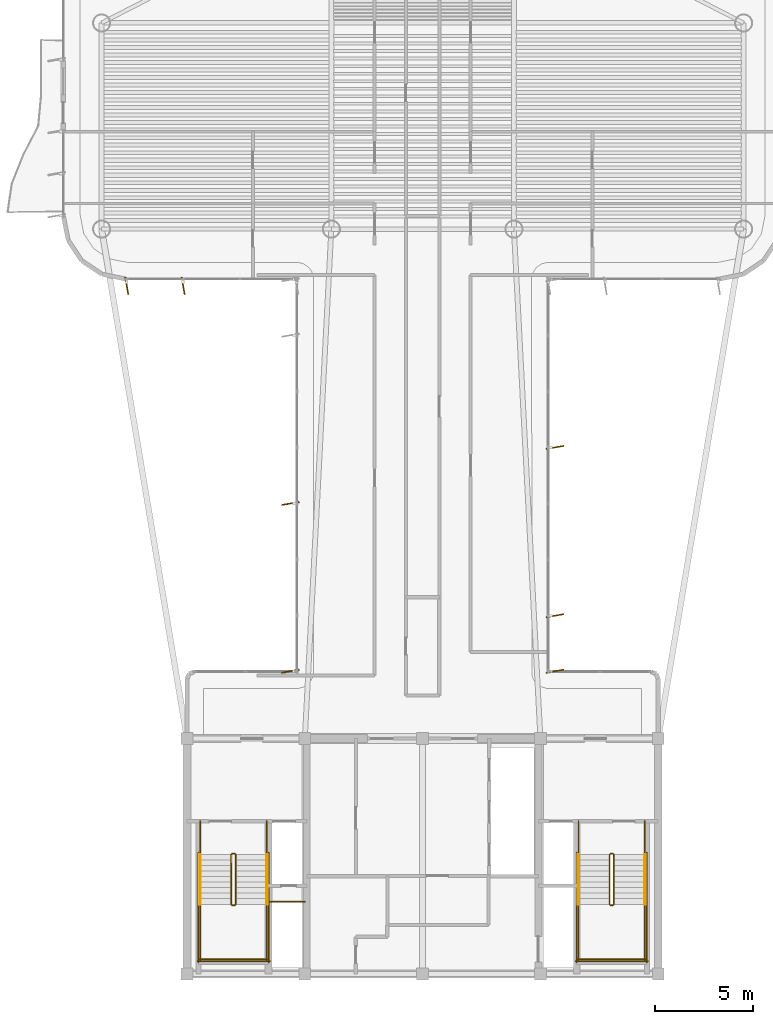
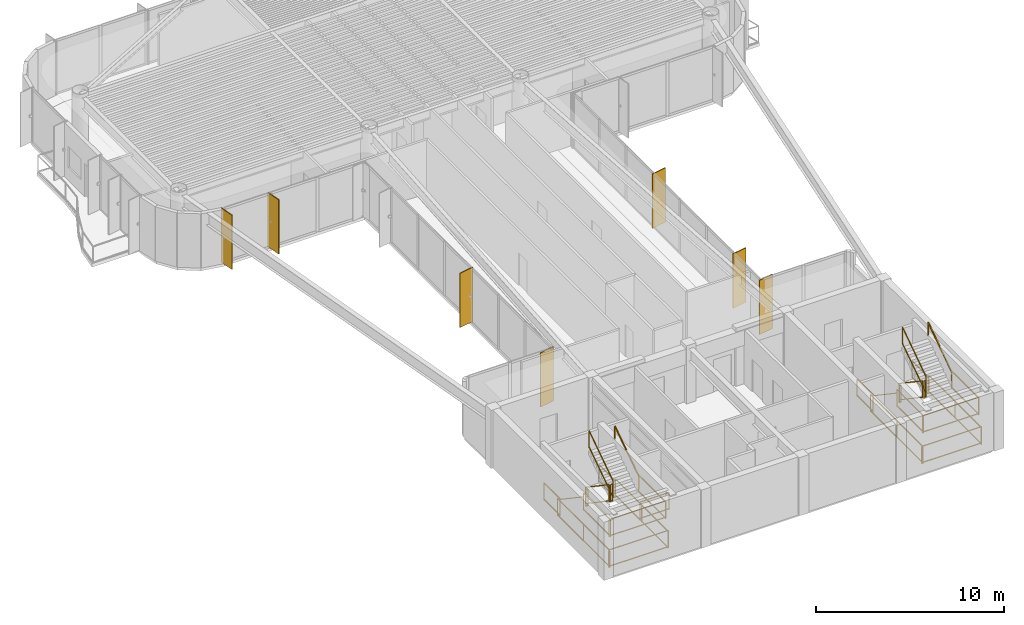
# One storey, part 14 of 15: 29 railings, 7 shading devices.
"""IFC4 building model written with IfcOpenShell, lengths in metres."""

import ifcopenshell
import ifcopenshell.guid

model = None  # the IFC model being written
_history = None  # IfcOwnerHistory: only IFC2X3 demands one
_inside = {}  # id of a spatial element -> (the spatial element, [elements in it])
_under = {}  # id of a project, library or spatial element -> (it, [spatial elements below it])
_declared = {}  # id of a project -> (the project, [libraries it declares])
_typed = {}  # id of a type object -> (the type object, [elements of that type])
_made_of = {}  # id of a material, layer set ... -> (it, [elements and type objects made of it])


def new_model(schema):
    """Start an empty IFC model of exactly this schema.

    Asked for "IFC4X3", IfcOpenShell would pick the latest addendum, in which some entities
    have other attributes; the version numbers below select the first issue.
    IFC2X3 requires an IfcOwnerHistory on every rooted entity: one is made here for all.
    """
    global model, _history
    if schema == "IFC4X3":
        model = ifcopenshell.file(schema_version=(4, 3, 0, 0))
    else:
        model = ifcopenshell.file(schema=schema)
    _inside.clear()
    _under.clear()
    _declared.clear()
    _typed.clear()
    _made_of.clear()
    _history = None
    if model.schema == "IFC2X3":
        org = make("IfcOrganization", Name="unknown")
        user = make(
            "IfcPersonAndOrganization",
            ThePerson=make("IfcPerson", FamilyName="unknown"),
            TheOrganization=org,
        )
        app = make(
            "IfcApplication",
            ApplicationDeveloper=org,
            Version="unknown",
            ApplicationFullName="unknown",
            ApplicationIdentifier="unknown",
        )
        _history = make(
            "IfcOwnerHistory",
            OwningUser=user,
            OwningApplication=app,
            ChangeAction="ADDED",
            CreationDate=0,
        )
    return model


def make(cls, **values):
    """One entity of the class cls with the attributes given. An attribute that is None is left unset."""
    return model.create_entity(
        cls, **{name: value for name, value in values.items() if value is not None}
    )


def rooted(cls, **values):
    """An entity with a GlobalId (a new one), such as an element, a storey or a relation."""
    return make(cls, GlobalId=ifcopenshell.guid.new(), OwnerHistory=_history, **values)


def si_unit(unit_type, name, prefix=None):
    """IfcSIUnit, for example si_unit("LENGTHUNIT", "METRE", prefix="MILLI")."""
    return make("IfcSIUnit", UnitType=unit_type, Prefix=prefix, Name=name)


def assignment(units):
    """IfcUnitAssignment: the units of a project."""
    return None if units is None else make("IfcUnitAssignment", Units=units)


def point(xyz):
    """IfcCartesianPoint."""
    return None if xyz is None else make("IfcCartesianPoint", Coordinates=xyz)


def direction(xyz):
    """IfcDirection."""
    return None if xyz is None else make("IfcDirection", DirectionRatios=xyz)


def frame(location, z_axis=None, x_axis=None):
    """IfcAxis2Placement3D, a coordinate frame: its origin and axes. An axis left out is left unset."""
    return make(
        "IfcAxis2Placement3D",
        Location=point(location),
        Axis=direction(z_axis),
        RefDirection=direction(x_axis),
    )


def frame_2d(location, x_axis=None):
    """IfcAxis2Placement2D, a coordinate frame in the plane: its origin and x axis."""
    return make(
        "IfcAxis2Placement2D", Location=point(location), RefDirection=direction(x_axis)
    )


def origin():
    """The frame at (0, 0, 0) with its axes left unset."""
    return frame((0.0, 0.0, 0.0))


def origin_2d():
    """The frame at (0, 0) in the plane with its x axis left unset."""
    return frame_2d((0.0, 0.0))


def place(relative_to, where):
    """IfcLocalPlacement: puts the frame where relative to a parent placement (None: the world)."""
    return make(
        "IfcLocalPlacement", PlacementRelTo=relative_to, RelativePlacement=where
    )


def context(
    kind, dimensions, precision=None, world=None, true_north=None, identifier=None
):
    """IfcGeometricRepresentationContext, for example the 3D "Model" context."""
    return make(
        "IfcGeometricRepresentationContext",
        ContextIdentifier=identifier,
        ContextType=kind,
        CoordinateSpaceDimension=dimensions,
        Precision=precision,
        WorldCoordinateSystem=world,
        TrueNorth=true_north,
    )


def subcontext(parent, identifier, kind, view, scale=None):
    """IfcGeometricRepresentationSubContext, for example "Body" below "Model"."""
    return make(
        "IfcGeometricRepresentationSubContext",
        ContextIdentifier=identifier,
        ContextType=kind,
        ParentContext=parent,
        TargetScale=scale,
        TargetView=view,
    )


def project(units=None, contexts=None):
    """IfcProject with its units and contexts."""
    return rooted(
        "IfcProject",
        Name="project",
        RepresentationContexts=contexts,
        UnitsInContext=assignment(units),
    )


def spatial(cls, under=None, at=None, **own):
    """A site, building, storey or space (cls), placed at a placement, below another one or the project."""
    s = rooted(cls, ObjectPlacement=at, **own)
    if under is not None:
        _under.setdefault(under.id(), (under, []))[1].append(s)
    return s


def profile(cls, at=None, kind="AREA", **sizes):
    """A parametric profile (cls). Its sizes go by their IFC names, for example OverallWidth=200.0."""
    return make(cls, ProfileType=kind, Position=at, **sizes)


def rectangle(**sizes):
    """IfcRectangleProfileDef."""
    return profile("IfcRectangleProfileDef", **sizes)


def extrude(swept, where, along, depth):
    """IfcExtrudedAreaSolid: the profile swept, set in the frame where, extruded along a direction by depth."""
    return make(
        "IfcExtrudedAreaSolid",
        SweptArea=swept,
        Position=where,
        ExtrudedDirection=direction(along),
        Depth=depth,
    )


def shape(context_of_items, identifier, shape_type, items):
    """IfcShapeRepresentation: the items that make up one representation, for example the "Body"."""
    return make(
        "IfcShapeRepresentation",
        ContextOfItems=context_of_items,
        RepresentationIdentifier=identifier,
        RepresentationType=shape_type,
        Items=items,
    )


def source(mapping_origin, context_of_items, identifier, shape_type, items):
    """IfcRepresentationMap: a shape defined once, which mapped items show again and again."""
    return make(
        "IfcRepresentationMap",
        MappingOrigin=mapping_origin,
        MappedRepresentation=shape(context_of_items, identifier, shape_type, items),
    )


def transform(
    local_origin,
    x_axis=None,
    y_axis=None,
    z_axis=None,
    scale=None,
    scale2=None,
    scale3=None,
    uniform=True,
):
    """IfcCartesianTransformationOperator3D, or its non-uniform kind. x_axis, y_axis, z_axis: its Axis1, 2, 3."""
    if uniform:
        return make(
            "IfcCartesianTransformationOperator3D",
            Axis1=direction(x_axis),
            Axis2=direction(y_axis),
            LocalOrigin=point(local_origin),
            Scale=scale,
            Axis3=direction(z_axis),
        )
    return make(
        "IfcCartesianTransformationOperator3DnonUniform",
        Axis1=direction(x_axis),
        Axis2=direction(y_axis),
        LocalOrigin=point(local_origin),
        Scale=scale,
        Axis3=direction(z_axis),
        Scale2=scale2,
        Scale3=scale3,
    )


def mapped(mapping_source, mapping_target):
    """IfcMappedItem: shows the shape of a source again, moved by a transform."""
    return make(
        "IfcMappedItem", MappingSource=mapping_source, MappingTarget=mapping_target
    )


def material(Name=None, Category=None):
    """IfcMaterial."""
    return make("IfcMaterial", Name=Name, Category=Category)


def layer(
    of_material, thickness, ventilated=None, Name=None, Category=None, Priority=None
):
    """IfcMaterialLayer: one layer of a wall or slab, of a material (None: an air gap)."""
    return make(
        "IfcMaterialLayer",
        Material=of_material,
        LayerThickness=thickness,
        IsVentilated=ventilated,
        Name=Name,
        Category=Category,
        Priority=Priority,
    )


def layer_set(layers, Name=None):
    """IfcMaterialLayerSet."""
    return make("IfcMaterialLayerSet", MaterialLayers=layers, LayerSetName=Name)


def material_profile(
    of_material, cross_section, Name=None, Category=None, Priority=None
):
    """IfcMaterialProfile: a cross section and its material."""
    return make(
        "IfcMaterialProfile",
        Name=Name,
        Material=of_material,
        Profile=cross_section,
        Priority=Priority,
        Category=Category,
    )


def profile_set(profiles, Name=None, composite=None):
    """IfcMaterialProfileSet."""
    return make(
        "IfcMaterialProfileSet",
        Name=Name,
        MaterialProfiles=profiles,
        CompositeProfile=composite,
    )


def made_of(thing, what):
    """Note that an element or type object is made of a material, layer set ...; save() writes the relation."""
    if what is not None:
        _made_of.setdefault(what.id(), (what, []))[1].append(thing)
    return thing


def type_object(cls, material=None, **own):
    """A type object (cls), such as IfcWallType, which elements share."""
    return made_of(rooted(cls, **own), material)


def element(
    cls,
    number,
    at=None,
    inside=None,
    cuts=None,
    type_object=None,
    material=None,
    context=None,
    identifier="Body",
    shape_type=None,
    held_by="IfcProductDefinitionShape",
    body=None,
    shapes=None,
    **own,
):
    """One element of the class cls, such as IfcWall. Its Tag is "e" and its number.

    at: its placement. inside: the storey or other place that contains it. cuts: it is an
    opening in that element (IfcRelVoidsElement). A single representation is given by context,
    identifier, shape_type and body (its items); several are given by shapes. held_by: the class
    of the entity that holds the representations. save() writes the other relations.
    """
    e = rooted(cls, Tag="e%d" % number, ObjectPlacement=at, **own)
    if body is not None:
        shapes = [shape(context, identifier, shape_type, body)]
    if shapes is not None:
        e.Representation = make(held_by, Representations=shapes)
    if inside is not None:
        _inside.setdefault(inside.id(), (inside, []))[1].append(e)
    if cuts is not None:
        rooted(
            "IfcRelVoidsElement", RelatingBuildingElement=cuts, RelatedOpeningElement=e
        )
    if type_object is not None:
        _typed.setdefault(type_object.id(), (type_object, []))[1].append(e)
    return made_of(e, material)


def aggregate(whole, parts):
    """IfcRelAggregates: a whole, such as a stair, and the parts it consists of."""
    return rooted("IfcRelAggregates", RelatingObject=whole, RelatedObjects=parts)


def save(model, path):
    """Write the relations noted so far, then the file.

    IfcRelAggregates (storeys below a building ...), IfcRelContainedInSpatialStructure (elements
    in a storey), IfcRelDefinesByType, IfcRelAssociatesMaterial and IfcRelDeclares: one each for
    every whole, place, type object, material and project.
    """
    for whole, parts in _under.values():
        aggregate(whole, parts)
    for where, things in _inside.values():
        rooted(
            "IfcRelContainedInSpatialStructure",
            RelatedElements=things,
            RelatingStructure=where,
        )
    for kind, things in _typed.values():
        rooted("IfcRelDefinesByType", RelatedObjects=things, RelatingType=kind)
    for what, things in _made_of.values():
        rooted("IfcRelAssociatesMaterial", RelatedObjects=things, RelatingMaterial=what)
    for by, libraries in _declared.values():
        rooted("IfcRelDeclares", RelatingContext=by, RelatedDefinitions=libraries)
    model.write(path)


model = new_model("IFC4")

# Units and contexts
model_context = context("Model", 3, precision=1e-05, world=origin(), true_north=direction((0.0, 1.0)))
body_context = subcontext(model_context, "Body", "Model", "MODEL_VIEW")
ifc_project = project(units=[si_unit("LENGTHUNIT", "METRE"), si_unit("AREAUNIT", "SQUARE_METRE"), si_unit("VOLUMEUNIT", "CUBIC_METRE"), si_unit("PLANEANGLEUNIT", "RADIAN"), si_unit("MASSUNIT", "GRAM", prefix="KILO")], contexts=[model_context])

# Site, building, storey
site_placement = place(None, origin())
site = spatial("IfcSite", under=ifc_project, at=site_placement, CompositionType="ELEMENT")
building_placement = place(site_placement, origin())
building = spatial("IfcBuilding", under=site, at=building_placement, Name="Brelvock Crest Care Tower", CompositionType="ELEMENT")
storey_placement = place(building_placement, frame((0.0, 0.0, 249.47998046875)))
storey = spatial("IfcBuildingStorey", under=building, at=storey_placement, Name="L63", CompositionType="ELEMENT", Elevation=249.47998046875)

# Railings
ifc_material_1 = material(Name="Steel Grade 350", Category="steel")
ifc_layer_1 = layer(ifc_material_1, 0.050048828125, Name="RL-STG1")
ifc_layer_set_1 = layer_set([ifc_layer_1], Name="Steel Grade 350")
railing_type_1 = type_object("IfcRailingType", Name="RL-STG1", PredefinedType="GUARDRAIL", material=ifc_layer_set_1)
railing_1_placement = place(storey_placement, frame((26.260009765625, 12.080078125, 0.18896484375)))
element("IfcRailing", 1, at=railing_1_placement, inside=storey, type_object=railing_type_1, Name="L63 ST-1 stair guard 1", PredefinedType="GUARDRAIL", context=body_context, shape_type="SweptSolid", body=[
    extrude(rectangle(XDim=0.048095703125, YDim=0.048095703125, at=origin_2d()), frame((0.0, -0.001708984375, 1.116943359375), z_axis=(0.0, -0.82882447046, 0.559508710537), x_axis=(1.0, 0.0, 0.0)), (0.0, 0.0, 1.0), 3.036376953125),
    extrude(rectangle(XDim=0.048095703125, YDim=0.048095703125, at=origin_2d()), frame((0.0, -0.001708984375, 0.05615234375), z_axis=(0.0, -0.82882447046, 0.559508710537), x_axis=(1.0, 0.0, 0.0)), (0.0, 0.0, 1.0), 3.036376953125),
    extrude(rectangle(XDim=0.0419921875, YDim=0.0419921875, at=origin_2d()), origin(), (0.0, 0.0, 1.0), 1.08984375),
    extrude(rectangle(XDim=0.0419921875, YDim=0.0419921875, at=origin_2d()), frame((0.0, -2.52001953125, 1.701171875)), (0.0, 0.0, 1.0), 1.08984375),
])
railing_2_placement = place(storey_placement, frame((26.31005859375, 9.510009765625, 1.89013671875)))
element("IfcRailing", 2, at=railing_2_placement, inside=storey, type_object=railing_type_1, Name="L63 ST-1 stair guard 2", PredefinedType="GUARDRAIL", context=body_context, shape_type="SweptSolid", body=[
    extrude(rectangle(XDim=0.048095703125, YDim=0.048095703125, at=origin_2d()), frame((0.001953125, 0.0, 1.11572265625), z_axis=(1.0, 0.0, 0.0), x_axis=(0.0, 1.0, 0.0)), (0.0, 0.0, 1.0), 0.115966796875),
    extrude(rectangle(XDim=0.048095703125, YDim=0.048095703125, at=origin_2d()), frame((0.001953125, 0.0, 0.054931640625), z_axis=(1.0, 0.0, 0.0), x_axis=(0.0, 1.0, 0.0)), (0.0, 0.0, 1.0), 0.115966796875),
    extrude(rectangle(XDim=0.0419921875, YDim=0.0419921875, at=origin_2d()), origin(), (0.0, 0.0, 1.0), 1.08984375),
    extrude(rectangle(XDim=0.0419921875, YDim=0.0419921875, at=origin_2d()), frame((0.119873046875, 0.0, 0.0)), (0.0, 0.0, 1.0), 1.08984375),
])
for number, where, name in (
    (3, (24.679931640625, 9.56005859375, 1.89013671875), "L63 ST-1 stair guard 3"),
    (4, (28.06005859375, 9.56005859375, 1.89013671875), "L63 ST-1 stair guard 4"),
):
    element("IfcRailing", number, at=place(storey_placement, frame(where)), inside=storey, type_object=railing_type_1, Name=name, PredefinedType="GUARDRAIL", context=body_context, shape_type="SweptSolid", body=[
        extrude(rectangle(XDim=0.048095703125, YDim=0.048095703125, at=origin_2d()), frame((0.0, -0.001953125, 1.11572265625), z_axis=(0.0, -1.0, 0.0), x_axis=(1.0, 0.0, 0.0)), (0.0, 0.0, 1.0), 2.856201171875),
        extrude(rectangle(XDim=0.048095703125, YDim=0.048095703125, at=origin_2d()), frame((0.0, -0.001953125, 0.054931640625), z_axis=(0.0, -1.0, 0.0), x_axis=(1.0, 0.0, 0.0)), (0.0, 0.0, 1.0), 2.856201171875),
        extrude(rectangle(XDim=0.0419921875, YDim=0.0419921875, at=origin_2d()), origin(), (0.0, 0.0, 1.0), 1.08984375),
        extrude(rectangle(XDim=0.0419921875, YDim=0.0419921875, at=origin_2d()), frame((0.0, -2.860107421875, 0.0)), (0.0, 0.0, 1.0), 1.08984375),
    ])
railing_3_placement = place(storey_placement, frame((24.6298828125, 6.75, 1.89013671875)))
element("IfcRailing", 5, at=railing_3_placement, inside=storey, type_object=railing_type_1, Name="L63 ST-1 stair guard 5", PredefinedType="GUARDRAIL", context=body_context, shape_type="SweptSolid", body=[
    extrude(rectangle(XDim=0.048095703125, YDim=0.048095703125, at=origin_2d()), frame((0.001953125, 0.0, 1.11572265625), z_axis=(1.0, 0.0, 0.0), x_axis=(0.0, 1.0, 0.0)), (0.0, 0.0, 1.0), 3.476318359375),
    extrude(rectangle(XDim=0.048095703125, YDim=0.048095703125, at=origin_2d()), frame((0.001953125, 0.0, 0.054931640625), z_axis=(1.0, 0.0, 0.0), x_axis=(0.0, 1.0, 0.0)), (0.0, 0.0, 1.0), 3.476318359375),
    extrude(rectangle(XDim=0.0419921875, YDim=0.0419921875, at=origin_2d()), origin(), (0.0, 0.0, 1.0), 1.08984375),
    extrude(rectangle(XDim=0.0419921875, YDim=0.0419921875, at=origin_2d()), frame((3.480224609375, 0.0, 0.0)), (0.0, 0.0, 1.0), 1.08984375),
])
railing_4_placement = place(storey_placement, frame((26.47998046875, 9.56005859375, 2.0791015625)))
element("IfcRailing", 6, at=railing_4_placement, inside=storey, type_object=railing_type_1, Name="L63 ST-1 stair guard 6", PredefinedType="GUARDRAIL", context=body_context, shape_type="SweptSolid", body=[
    extrude(rectangle(XDim=0.048095703125, YDim=0.048095703125, at=origin_2d()), frame((0.0, 0.001708984375, 1.116943359375), z_axis=(0.0, 0.828861706735, 0.559453546873), x_axis=(-1.0, 0.0, 0.0)), (0.0, 0.0, 1.0), 3.036376953125),
    extrude(rectangle(XDim=0.048095703125, YDim=0.048095703125, at=origin_2d()), frame((0.0, 0.001708984375, 0.05615234375), z_axis=(0.0, 0.828861706735, 0.559453546873), x_axis=(-1.0, 0.0, 0.0)), (0.0, 0.0, 1.0), 3.036376953125),
    extrude(rectangle(XDim=0.0419921875, YDim=0.0419921875, at=origin_2d()), origin(), (0.0, 0.0, 1.0), 1.08984375),
    extrude(rectangle(XDim=0.0419921875, YDim=0.0419921875, at=origin_2d()), frame((0.0, 2.52001953125, 1.700927734375)), (0.0, 0.0, 1.0), 1.08984375),
])
railing_5_placement = place(storey_placement, frame((26.31005859375, 12.1298828125, 0.0)))
element("IfcRailing", 7, at=railing_5_placement, inside=storey, type_object=railing_type_1, Name="L63 ST-1 stair guard 7", PredefinedType="GUARDRAIL", context=body_context, shape_type="SweptSolid", body=[
    extrude(rectangle(XDim=0.048095703125, YDim=0.048095703125, at=origin_2d()), frame((0.001953125, 0.0, 1.11572265625), z_axis=(1.0, 0.0, 0.0), x_axis=(0.0, 1.0, 0.0)), (0.0, 0.0, 1.0), 0.115966796875),
    extrude(rectangle(XDim=0.048095703125, YDim=0.048095703125, at=origin_2d()), frame((0.001953125, 0.0, 0.054931640625), z_axis=(1.0, 0.0, 0.0), x_axis=(0.0, 1.0, 0.0)), (0.0, 0.0, 1.0), 0.115966796875),
    extrude(rectangle(XDim=0.0419921875, YDim=0.0419921875, at=origin_2d()), origin(), (0.0, 0.0, 1.0), 1.08984375),
    extrude(rectangle(XDim=0.0419921875, YDim=0.0419921875, at=origin_2d()), frame((0.119873046875, 0.0, 0.0)), (0.0, 0.0, 1.0), 1.08984375),
])
for number, where, name in (
    (8, (24.679931640625, 13.780029296875, 0.0), "L63 ST-1 stair guard 8"),
    (9, (28.06005859375, 13.780029296875, 0.0), "L63 ST-1 stair guard 9"),
):
    element("IfcRailing", number, at=place(storey_placement, frame(where)), inside=storey, type_object=railing_type_1, Name=name, PredefinedType="GUARDRAIL", context=body_context, shape_type="SweptSolid", body=[
        extrude(rectangle(XDim=0.048095703125, YDim=0.048095703125, at=origin_2d()), frame((0.0, -0.001953125, 1.11572265625), z_axis=(0.0, -1.0, 0.0), x_axis=(1.0, 0.0, 0.0)), (0.0, 0.0, 1.0), 1.696044921875),
        extrude(rectangle(XDim=0.048095703125, YDim=0.048095703125, at=origin_2d()), frame((0.0, -0.001953125, 0.054931640625), z_axis=(0.0, -1.0, 0.0), x_axis=(1.0, 0.0, 0.0)), (0.0, 0.0, 1.0), 1.696044921875),
        extrude(rectangle(XDim=0.0419921875, YDim=0.0419921875, at=origin_2d()), origin(), (0.0, 0.0, 1.0), 1.08984375),
        extrude(rectangle(XDim=0.0419921875, YDim=0.0419921875, at=origin_2d()), frame((0.0, -1.699951171875, 0.0)), (0.0, 0.0, 1.0), 1.08984375),
    ])
for number, where, name in (
    (10, (24.580078125, 12.179931640625, 0.0), "L63 ST-1 stair guard 10"),
    (11, (28.159912109375, 12.179931640625, 0.0), "L63 ST-1 stair guard 11"),
):
    element("IfcRailing", number, at=place(storey_placement, frame(where)), inside=storey, type_object=railing_type_1, Name=name, PredefinedType="GUARDRAIL", context=body_context, shape_type="SweptSolid", body=[
        extrude(rectangle(XDim=0.048095703125, YDim=0.048095703125, at=origin_2d()), frame((0.0, -0.001953125, 1.11572265625), z_axis=(0.0, -1.0, 0.0), x_axis=(1.0, 0.0, 0.0)), (0.0, 0.0, 1.0), 5.575927734375),
        extrude(rectangle(XDim=0.048095703125, YDim=0.048095703125, at=origin_2d()), frame((0.0, -0.001953125, 0.054931640625), z_axis=(0.0, -1.0, 0.0), x_axis=(1.0, 0.0, 0.0)), (0.0, 0.0, 1.0), 5.575927734375),
        extrude(rectangle(XDim=0.0419921875, YDim=0.0419921875, at=origin_2d()), origin(), (0.0, 0.0, 1.0), 1.08984375),
        extrude(rectangle(XDim=0.0419921875, YDim=0.0419921875, at=origin_2d()), frame((0.0, -2.7900390625, 0.0)), (0.0, 0.0, 1.0), 1.08984375),
        extrude(rectangle(XDim=0.0419921875, YDim=0.0419921875, at=origin_2d()), frame((0.0, -5.579833984375, 0.0)), (0.0, 0.0, 1.0), 1.08984375),
    ])
railing_6_placement = place(storey_placement, frame((24.530029296875, 6.64990234375, 0.0)))
element("IfcRailing", 12, at=railing_6_placement, inside=storey, type_object=railing_type_1, Name="L63 ST-1 stair guard 12", PredefinedType="GUARDRAIL", context=body_context, shape_type="SweptSolid", body=[
    extrude(rectangle(XDim=0.048095703125, YDim=0.048095703125, at=origin_2d()), frame((0.001953125, 0.0, 1.11572265625), z_axis=(1.0, 0.0, 0.0), x_axis=(0.0, 1.0, 0.0)), (0.0, 0.0, 1.0), 3.676025390625),
    extrude(rectangle(XDim=0.048095703125, YDim=0.048095703125, at=origin_2d()), frame((0.001953125, 0.0, 0.054931640625), z_axis=(1.0, 0.0, 0.0), x_axis=(0.0, 1.0, 0.0)), (0.0, 0.0, 1.0), 3.676025390625),
    extrude(rectangle(XDim=0.0419921875, YDim=0.0419921875, at=origin_2d()), origin(), (0.0, 0.0, 1.0), 1.08984375),
    extrude(rectangle(XDim=0.0419921875, YDim=0.0419921875, at=origin_2d()), frame((3.679931640625, 0.0, 0.0)), (0.0, 0.0, 1.0), 1.08984375),
])
railing_7_placement = place(storey_placement, frame((45.52001953125, 12.080078125, 0.18896484375)))
element("IfcRailing", 13, at=railing_7_placement, inside=storey, type_object=railing_type_1, Name="L63 ST-2 stair guard 1", PredefinedType="GUARDRAIL", context=body_context, shape_type="SweptSolid", body=[
    extrude(rectangle(XDim=0.048095703125, YDim=0.048095703125, at=origin_2d()), frame((0.0, -0.001708984375, 1.116943359375), z_axis=(0.0, -0.82882447046, 0.559508710537), x_axis=(1.0, 0.0, 0.0)), (0.0, 0.0, 1.0), 3.036376953125),
    extrude(rectangle(XDim=0.048095703125, YDim=0.048095703125, at=origin_2d()), frame((0.0, -0.001708984375, 0.05615234375), z_axis=(0.0, -0.82882447046, 0.559508710537), x_axis=(1.0, 0.0, 0.0)), (0.0, 0.0, 1.0), 3.036376953125),
    extrude(rectangle(XDim=0.0419921875, YDim=0.0419921875, at=origin_2d()), origin(), (0.0, 0.0, 1.0), 1.08984375),
    extrude(rectangle(XDim=0.0419921875, YDim=0.0419921875, at=origin_2d()), frame((0.0, -2.52001953125, 1.701171875)), (0.0, 0.0, 1.0), 1.08984375),
])
railing_8_placement = place(storey_placement, frame((45.570068359375, 9.510009765625, 1.89013671875)))
element("IfcRailing", 14, at=railing_8_placement, inside=storey, type_object=railing_type_1, Name="L63 ST-2 stair guard 2", PredefinedType="GUARDRAIL", context=body_context, shape_type="SweptSolid", body=[
    extrude(rectangle(XDim=0.048095703125, YDim=0.048095703125, at=origin_2d()), frame((0.001953125, 0.0, 1.11572265625), z_axis=(1.0, 0.0, 0.0), x_axis=(0.0, 1.0, 0.0)), (0.0, 0.0, 1.0), 0.115966796875),
    extrude(rectangle(XDim=0.048095703125, YDim=0.048095703125, at=origin_2d()), frame((0.001953125, 0.0, 0.054931640625), z_axis=(1.0, 0.0, 0.0), x_axis=(0.0, 1.0, 0.0)), (0.0, 0.0, 1.0), 0.115966796875),
    extrude(rectangle(XDim=0.0419921875, YDim=0.0419921875, at=origin_2d()), origin(), (0.0, 0.0, 1.0), 1.08984375),
    extrude(rectangle(XDim=0.0419921875, YDim=0.0419921875, at=origin_2d()), frame((0.119873046875, 0.0, 0.0)), (0.0, 0.0, 1.0), 1.08984375),
])
for number, where, name in (
    (15, (43.93994140625, 9.56005859375, 1.89013671875), "L63 ST-2 stair guard 3"),
    (16, (47.320068359375, 9.56005859375, 1.89013671875), "L63 ST-2 stair guard 4"),
):
    element("IfcRailing", number, at=place(storey_placement, frame(where)), inside=storey, type_object=railing_type_1, Name=name, PredefinedType="GUARDRAIL", context=body_context, shape_type="SweptSolid", body=[
        extrude(rectangle(XDim=0.048095703125, YDim=0.048095703125, at=origin_2d()), frame((0.0, -0.001953125, 1.11572265625), z_axis=(0.0, -1.0, 0.0), x_axis=(1.0, 0.0, 0.0)), (0.0, 0.0, 1.0), 2.856201171875),
        extrude(rectangle(XDim=0.048095703125, YDim=0.048095703125, at=origin_2d()), frame((0.0, -0.001953125, 0.054931640625), z_axis=(0.0, -1.0, 0.0), x_axis=(1.0, 0.0, 0.0)), (0.0, 0.0, 1.0), 2.856201171875),
        extrude(rectangle(XDim=0.0419921875, YDim=0.0419921875, at=origin_2d()), origin(), (0.0, 0.0, 1.0), 1.08984375),
        extrude(rectangle(XDim=0.0419921875, YDim=0.0419921875, at=origin_2d()), frame((0.0, -2.860107421875, 0.0)), (0.0, 0.0, 1.0), 1.08984375),
    ])
railing_9_placement = place(storey_placement, frame((43.889892578125, 6.75, 1.89013671875)))
element("IfcRailing", 17, at=railing_9_placement, inside=storey, type_object=railing_type_1, Name="L63 ST-2 stair guard 5", PredefinedType="GUARDRAIL", context=body_context, shape_type="SweptSolid", body=[
    extrude(rectangle(XDim=0.048095703125, YDim=0.048095703125, at=origin_2d()), frame((0.001953125, 0.0, 1.11572265625), z_axis=(1.0, 0.0, 0.0), x_axis=(0.0, 1.0, 0.0)), (0.0, 0.0, 1.0), 3.476318359375),
    extrude(rectangle(XDim=0.048095703125, YDim=0.048095703125, at=origin_2d()), frame((0.001953125, 0.0, 0.054931640625), z_axis=(1.0, 0.0, 0.0), x_axis=(0.0, 1.0, 0.0)), (0.0, 0.0, 1.0), 3.476318359375),
    extrude(rectangle(XDim=0.0419921875, YDim=0.0419921875, at=origin_2d()), origin(), (0.0, 0.0, 1.0), 1.08984375),
    extrude(rectangle(XDim=0.0419921875, YDim=0.0419921875, at=origin_2d()), frame((3.480224609375, 0.0, 0.0)), (0.0, 0.0, 1.0), 1.08984375),
])
railing_10_placement = place(storey_placement, frame((45.739990234375, 9.56005859375, 2.0791015625)))
element("IfcRailing", 18, at=railing_10_placement, inside=storey, type_object=railing_type_1, Name="L63 ST-2 stair guard 6", PredefinedType="GUARDRAIL", context=body_context, shape_type="SweptSolid", body=[
    extrude(rectangle(XDim=0.048095703125, YDim=0.048095703125, at=origin_2d()), frame((0.0, 0.001708984375, 1.116943359375), z_axis=(0.0, 0.828861706735, 0.559453546873), x_axis=(-1.0, 0.0, 0.0)), (0.0, 0.0, 1.0), 3.036376953125),
    extrude(rectangle(XDim=0.048095703125, YDim=0.048095703125, at=origin_2d()), frame((0.0, 0.001708984375, 0.05615234375), z_axis=(0.0, 0.828861706735, 0.559453546873), x_axis=(-1.0, 0.0, 0.0)), (0.0, 0.0, 1.0), 3.036376953125),
    extrude(rectangle(XDim=0.0419921875, YDim=0.0419921875, at=origin_2d()), origin(), (0.0, 0.0, 1.0), 1.08984375),
    extrude(rectangle(XDim=0.0419921875, YDim=0.0419921875, at=origin_2d()), frame((0.0, 2.52001953125, 1.700927734375)), (0.0, 0.0, 1.0), 1.08984375),
])
railing_11_placement = place(storey_placement, frame((45.570068359375, 12.1298828125, 0.0)))
element("IfcRailing", 19, at=railing_11_placement, inside=storey, type_object=railing_type_1, Name="L63 ST-2 stair guard 7", PredefinedType="GUARDRAIL", context=body_context, shape_type="SweptSolid", body=[
    extrude(rectangle(XDim=0.048095703125, YDim=0.048095703125, at=origin_2d()), frame((0.001953125, 0.0, 1.11572265625), z_axis=(1.0, 0.0, 0.0), x_axis=(0.0, 1.0, 0.0)), (0.0, 0.0, 1.0), 0.115966796875),
    extrude(rectangle(XDim=0.048095703125, YDim=0.048095703125, at=origin_2d()), frame((0.001953125, 0.0, 0.054931640625), z_axis=(1.0, 0.0, 0.0), x_axis=(0.0, 1.0, 0.0)), (0.0, 0.0, 1.0), 0.115966796875),
    extrude(rectangle(XDim=0.0419921875, YDim=0.0419921875, at=origin_2d()), origin(), (0.0, 0.0, 1.0), 1.08984375),
    extrude(rectangle(XDim=0.0419921875, YDim=0.0419921875, at=origin_2d()), frame((0.119873046875, 0.0, 0.0)), (0.0, 0.0, 1.0), 1.08984375),
])
for number, where, name in (
    (20, (43.93994140625, 13.780029296875, 0.0), "L63 ST-2 stair guard 8"),
    (21, (47.320068359375, 13.780029296875, 0.0), "L63 ST-2 stair guard 9"),
):
    element("IfcRailing", number, at=place(storey_placement, frame(where)), inside=storey, type_object=railing_type_1, Name=name, PredefinedType="GUARDRAIL", context=body_context, shape_type="SweptSolid", body=[
        extrude(rectangle(XDim=0.048095703125, YDim=0.048095703125, at=origin_2d()), frame((0.0, -0.001953125, 1.11572265625), z_axis=(0.0, -1.0, 0.0), x_axis=(1.0, 0.0, 0.0)), (0.0, 0.0, 1.0), 1.696044921875),
        extrude(rectangle(XDim=0.048095703125, YDim=0.048095703125, at=origin_2d()), frame((0.0, -0.001953125, 0.054931640625), z_axis=(0.0, -1.0, 0.0), x_axis=(1.0, 0.0, 0.0)), (0.0, 0.0, 1.0), 1.696044921875),
        extrude(rectangle(XDim=0.0419921875, YDim=0.0419921875, at=origin_2d()), origin(), (0.0, 0.0, 1.0), 1.08984375),
        extrude(rectangle(XDim=0.0419921875, YDim=0.0419921875, at=origin_2d()), frame((0.0, -1.699951171875, 0.0)), (0.0, 0.0, 1.0), 1.08984375),
    ])
for number, where, name in (
    (22, (43.840087890625, 12.179931640625, 0.0), "L63 ST-2 stair guard 10"),
    (23, (47.419921875, 12.179931640625, 0.0), "L63 ST-2 stair guard 11"),
):
    element("IfcRailing", number, at=place(storey_placement, frame(where)), inside=storey, type_object=railing_type_1, Name=name, PredefinedType="GUARDRAIL", context=body_context, shape_type="SweptSolid", body=[
        extrude(rectangle(XDim=0.048095703125, YDim=0.048095703125, at=origin_2d()), frame((0.0, -0.001953125, 1.11572265625), z_axis=(0.0, -1.0, 0.0), x_axis=(1.0, 0.0, 0.0)), (0.0, 0.0, 1.0), 5.575927734375),
        extrude(rectangle(XDim=0.048095703125, YDim=0.048095703125, at=origin_2d()), frame((0.0, -0.001953125, 0.054931640625), z_axis=(0.0, -1.0, 0.0), x_axis=(1.0, 0.0, 0.0)), (0.0, 0.0, 1.0), 5.575927734375),
        extrude(rectangle(XDim=0.0419921875, YDim=0.0419921875, at=origin_2d()), origin(), (0.0, 0.0, 1.0), 1.08984375),
        extrude(rectangle(XDim=0.0419921875, YDim=0.0419921875, at=origin_2d()), frame((0.0, -2.7900390625, 0.0)), (0.0, 0.0, 1.0), 1.08984375),
        extrude(rectangle(XDim=0.0419921875, YDim=0.0419921875, at=origin_2d()), frame((0.0, -5.579833984375, 0.0)), (0.0, 0.0, 1.0), 1.08984375),
    ])
railing_12_placement = place(storey_placement, frame((43.7900390625, 6.64990234375, 0.0)))
element("IfcRailing", 24, at=railing_12_placement, inside=storey, type_object=railing_type_1, Name="L63 ST-2 stair guard 12", PredefinedType="GUARDRAIL", context=body_context, shape_type="SweptSolid", body=[
    extrude(rectangle(XDim=0.048095703125, YDim=0.048095703125, at=origin_2d()), frame((0.001953125, 0.0, 1.11572265625), z_axis=(1.0, 0.0, 0.0), x_axis=(0.0, 1.0, 0.0)), (0.0, 0.0, 1.0), 3.676025390625),
    extrude(rectangle(XDim=0.048095703125, YDim=0.048095703125, at=origin_2d()), frame((0.001953125, 0.0, 0.054931640625), z_axis=(1.0, 0.0, 0.0), x_axis=(0.0, 1.0, 0.0)), (0.0, 0.0, 1.0), 3.676025390625),
    extrude(rectangle(XDim=0.0419921875, YDim=0.0419921875, at=origin_2d()), origin(), (0.0, 0.0, 1.0), 1.08984375),
    extrude(rectangle(XDim=0.0419921875, YDim=0.0419921875, at=origin_2d()), frame((3.679931640625, 0.0, 0.0)), (0.0, 0.0, 1.0), 1.08984375),
])
railing_13_placement = place(storey_placement, frame((28.219970703125, 9.679931640625, 0.0)))
element("IfcRailing", 25, at=railing_13_placement, inside=storey, type_object=railing_type_1, Name="L63 Fire Riser Threshold Guard", PredefinedType="GUARDRAIL", context=body_context, shape_type="SweptSolid", body=[
    extrude(rectangle(XDim=0.048095703125, YDim=0.048095703125, at=origin_2d()), frame((0.001953125, 0.0, 1.11572265625), z_axis=(1.0, 0.0, 0.0), x_axis=(0.0, 1.0, 0.0)), (0.0, 0.0, 1.0), 1.776123046875),
    extrude(rectangle(XDim=0.048095703125, YDim=0.048095703125, at=origin_2d()), frame((0.001953125, 0.0, 0.054931640625), z_axis=(1.0, 0.0, 0.0), x_axis=(0.0, 1.0, 0.0)), (0.0, 0.0, 1.0), 1.776123046875),
    extrude(rectangle(XDim=0.0419921875, YDim=0.0419921875, at=origin_2d()), origin(), (0.0, 0.0, 1.0), 1.08984375),
    extrude(rectangle(XDim=0.0419921875, YDim=0.0419921875, at=origin_2d()), frame((1.780029296875, 0.0, 0.0)), (0.0, 0.0, 1.0), 1.08984375),
])
ifc_layer_2 = layer(ifc_material_1, 0.048095703125, Name="RL-STH1")
ifc_layer_set_2 = layer_set([ifc_layer_2], Name="Steel Grade 350")
railing_type_2 = type_object("IfcRailingType", Name="RL-STH1", PredefinedType="HANDRAIL", material=ifc_layer_set_2)
railing_14_placement = place(storey_placement, frame((24.679931640625, 12.080078125, 0.18896484375)))
element("IfcRailing", 26, at=railing_14_placement, inside=storey, type_object=railing_type_2, Name="L63 ST-1 stair handrail 1", PredefinedType="HANDRAIL", context=body_context, shape_type="SweptSolid", body=[
    extrude(rectangle(XDim=0.048095703125, YDim=0.048095703125, at=origin_2d()), frame((0.0, -0.001708984375, 0.876953125), z_axis=(0.0, -0.82882447046, 0.559508710537), x_axis=(1.0, 0.0, 0.0)), (0.0, 0.0, 1.0), 3.036376953125),
    extrude(rectangle(XDim=0.0419921875, YDim=0.0419921875, at=origin_2d()), origin(), (0.0, 0.0, 1.0), 0.849853515625),
    extrude(rectangle(XDim=0.0419921875, YDim=0.0419921875, at=origin_2d()), frame((0.0, -2.52001953125, 1.701171875)), (0.0, 0.0, 1.0), 0.849853515625),
])
railing_15_placement = place(storey_placement, frame((28.06005859375, 9.56005859375, 2.0791015625)))
element("IfcRailing", 27, at=railing_15_placement, inside=storey, type_object=railing_type_2, Name="L63 ST-1 stair handrail 2", PredefinedType="HANDRAIL", context=body_context, shape_type="SweptSolid", body=[
    extrude(rectangle(XDim=0.048095703125, YDim=0.048095703125, at=origin_2d()), frame((0.0, 0.001708984375, 0.876953125), z_axis=(0.0, 0.828861706735, 0.559453546873), x_axis=(-1.0, 0.0, 0.0)), (0.0, 0.0, 1.0), 3.036376953125),
    extrude(rectangle(XDim=0.0419921875, YDim=0.0419921875, at=origin_2d()), origin(), (0.0, 0.0, 1.0), 0.849853515625),
    extrude(rectangle(XDim=0.0419921875, YDim=0.0419921875, at=origin_2d()), frame((0.0, 2.52001953125, 1.700927734375)), (0.0, 0.0, 1.0), 0.849853515625),
])
railing_16_placement = place(storey_placement, frame((43.93994140625, 12.080078125, 0.18896484375)))
element("IfcRailing", 28, at=railing_16_placement, inside=storey, type_object=railing_type_2, Name="L63 ST-2 stair handrail 1", PredefinedType="HANDRAIL", context=body_context, shape_type="SweptSolid", body=[
    extrude(rectangle(XDim=0.048095703125, YDim=0.048095703125, at=origin_2d()), frame((0.0, -0.001708984375, 0.876953125), z_axis=(0.0, -0.82882447046, 0.559508710537), x_axis=(1.0, 0.0, 0.0)), (0.0, 0.0, 1.0), 3.036376953125),
    extrude(rectangle(XDim=0.0419921875, YDim=0.0419921875, at=origin_2d()), origin(), (0.0, 0.0, 1.0), 0.849853515625),
    extrude(rectangle(XDim=0.0419921875, YDim=0.0419921875, at=origin_2d()), frame((0.0, -2.52001953125, 1.701171875)), (0.0, 0.0, 1.0), 0.849853515625),
])
railing_17_placement = place(storey_placement, frame((47.320068359375, 9.56005859375, 2.0791015625)))
element("IfcRailing", 29, at=railing_17_placement, inside=storey, type_object=railing_type_2, Name="L63 ST-2 stair handrail 2", PredefinedType="HANDRAIL", context=body_context, shape_type="SweptSolid", body=[
    extrude(rectangle(XDim=0.048095703125, YDim=0.048095703125, at=origin_2d()), frame((0.0, 0.001708984375, 0.876953125), z_axis=(0.0, 0.828861706735, 0.559453546873), x_axis=(-1.0, 0.0, 0.0)), (0.0, 0.0, 1.0), 3.036376953125),
    extrude(rectangle(XDim=0.0419921875, YDim=0.0419921875, at=origin_2d()), origin(), (0.0, 0.0, 1.0), 0.849853515625),
    extrude(rectangle(XDim=0.0419921875, YDim=0.0419921875, at=origin_2d()), frame((0.0, 2.52001953125, 1.700927734375)), (0.0, 0.0, 1.0), 0.849853515625),
])

# Shading devices
ifc_material_2 = material(Name="Aluminium 6063-T6", Category="aluminium")
ifc_material_profile = material_profile(ifc_material_2, rectangle(XDim=0.054931640625, YDim=0.89990234375, at=origin_2d()), Name="FIN55x900")
ifc_profile_set = profile_set([ifc_material_profile], Name="Aluminium 6063-T6")
shading_device_type = type_object("IfcShadingDeviceType", Name="SHD-FIN1", PredefinedType="USERDEFINED", material=ifc_profile_set)
shared_shape = source(origin(), body_context, "Body", "SweptSolid", [
    extrude(rectangle(XDim=0.054931640625, YDim=0.89990234375, at=origin_2d()), origin(), (0.0, 0.0, 1.0), 3.530029296875),
])
for number, where, z_axis, x_axis, name in (
    (30, (29.260009765625, 21.429931640625, 0.0), (0.0, 0.0, 1.0), (-0.173648177667, 0.984807753012, 0.0), "L63 Vertical Sunshade Fin E11-01"),
    (31, (29.260009765625, 29.971435546875, 0.0), (0.0, 0.0, 1.0), (-0.173648177667, 0.984807753012, 0.0), "L63 Vertical Sunshade Fin E11-04"),
    (32, (23.800048828125, 41.06005859375, 0.0), (0.0, 0.0, 1.0), (-0.984807753012, -0.173648177667, 0.0), "L63 Vertical Sunshade Fin E12-03"),
    (33, (20.929931640625, 41.06005859375, 0.0), (0.0, 0.0, 1.0), (-0.984807753012, -0.173648177667, 0.0), "L63 Vertical Sunshade Fin E12-04"),
    (34, (42.739990234375, 32.82861328125, 0.0), (0.0, 0.0, 1.0), (0.173648177667, -0.984807753012, 0.0), "L63 Vertical Sunshade Fin E45-04"),
    (35, (42.739990234375, 24.257080078125, 0.0), (0.0, 0.0, 1.0), (0.173648177667, -0.984807753012, 0.0), "L63 Vertical Sunshade Fin E45-07"),
    (36, (42.739990234375, 21.429931640625, 0.0), (0.0, 0.0, 1.0), (0.173648177667, -0.984807753012, 0.0), "L63 Vertical Sunshade Fin E45-08"),
):
    element("IfcShadingDevice", number, at=place(storey_placement, frame(where, z_axis=z_axis, x_axis=x_axis)), inside=storey, type_object=shading_device_type, Name=name, ObjectType="FIN", PredefinedType="USERDEFINED", context=body_context, shape_type="MappedRepresentation", body=[
        mapped(shared_shape, transform((0.0, 0.0, 0.0), x_axis=(1.0, 0.0, 0.0), y_axis=(0.0, 1.0, 0.0), z_axis=(0.0, 0.0, 1.0), scale=1.0)),
    ])

save(model, "model.ifc")
